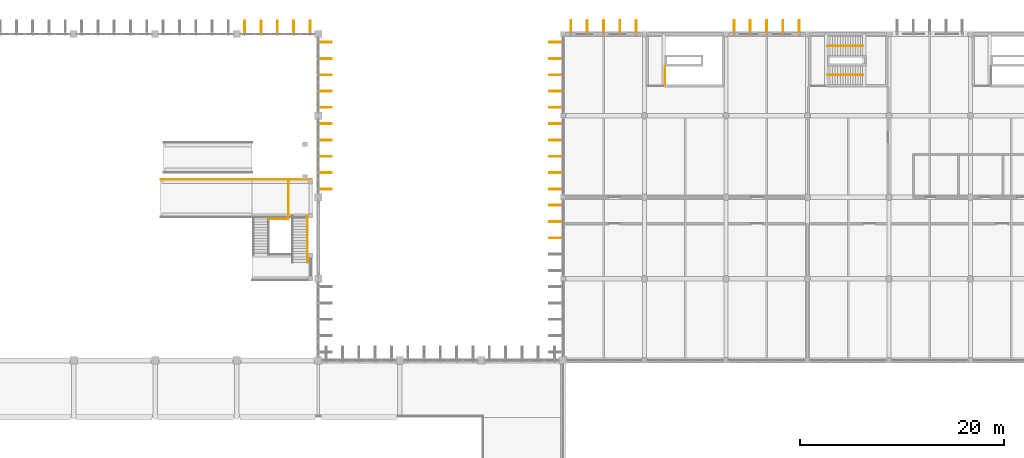
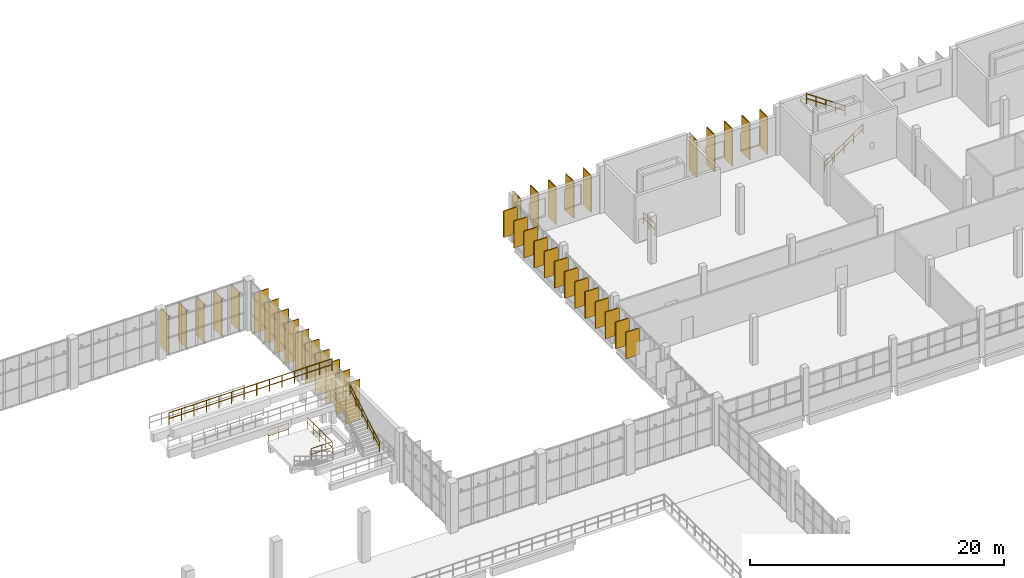
# One storey, part 91 of 93: 38 coverings, 38 shading devices, 8 railings.
"""IFC4 building model written with IfcOpenShell, lengths in metres."""

from ifc_helpers import new_model, si_unit, direction, frame, origin, origin_2d, place, context, subcontext, project, spatial, rectangle, circle, extrude, material, type_object, element, save


model = new_model("IFC4")

# Units and contexts
model_context = context("Model", 3, precision=1e-05, world=origin(), true_north=direction((0.0, 1.0)))
body_context = subcontext(model_context, "Body", "Model", "MODEL_VIEW")
ifc_project = project(units=[si_unit("LENGTHUNIT", "METRE"), si_unit("AREAUNIT", "SQUARE_METRE"), si_unit("VOLUMEUNIT", "CUBIC_METRE"), si_unit("PLANEANGLEUNIT", "RADIAN"), si_unit("MASSUNIT", "GRAM", prefix="KILO")], contexts=[model_context])

# Site, building, storey
site_placement = place(None, origin())
site = spatial("IfcSite", under=ifc_project, at=site_placement, CompositionType="ELEMENT")
building_placement = place(site_placement, origin())
building = spatial("IfcBuilding", under=site, at=building_placement, Name="Drelvana Railside Aquatics Centre", CompositionType="ELEMENT")
storey_placement = place(building_placement, frame((0.0, 0.0, 5.39990234375)))
storey = spatial("IfcBuildingStorey", under=building, at=storey_placement, Name="L01", CompositionType="ELEMENT", Elevation=5.39990234375)

# Coverings
ifc_material_1 = material(Name="Bronze-anodised extruded aluminium 6063-T6", Category="aluminium")
covering_type = type_object("IfcCoveringType", Name="COV-FIN-ALU", PredefinedType="CLADDING", material=ifc_material_1)
for number, where, z_axis, x_axis, name in (
    (1, (64.800048828125, 116.669921875, 0.0), (0.0, 0.0, 1.0), (1.0, 0.0, 0.0), "Vertical aluminium fin cladding CF-0195"),
    (2, (66.39990234375, 116.669921875, 0.0), (0.0, 0.0, 1.0), (1.0, 0.0, 0.0), "Vertical aluminium fin cladding CF-0196"),
    (3, (68.0, 116.669921875, 0.0), (0.0, 0.0, 1.0), (1.0, 0.0, 0.0), "Vertical aluminium fin cladding CF-0197"),
    (4, (69.60009765625, 116.669921875, 0.0), (0.0, 0.0, 1.0), (1.0, 0.0, 0.0), "Vertical aluminium fin cladding CF-0198"),
    (5, (71.199951171875, 116.669921875, 0.0), (0.0, 0.0, 1.0), (1.0, 0.0, 0.0), "Vertical aluminium fin cladding CF-0199"),
):
    element("IfcCovering", number, at=place(storey_placement, frame(where, z_axis=z_axis, x_axis=x_axis)), inside=storey, type_object=covering_type, Name=name, PredefinedType="CLADDING", context=body_context, shape_type="SweptSolid", body=[
        extrude(rectangle(XDim=0.0849609375, YDim=1.25, at=origin_2d()), origin(), (0.0, 0.0, 1.0), 3.699951171875),
    ])
for number, where, z_axis, x_axis, name in (
    (6, (72.68505859375, 100.800048828125, 0.0), (0.0, 0.0, 1.0), (0.0, -1.0, 0.0), "Vertical aluminium fin cladding CF-0451"),
    (7, (72.68505859375, 102.39990234375, 0.0), (0.0, 0.0, 1.0), (0.0, -1.0, 0.0), "Vertical aluminium fin cladding CF-0452"),
    (8, (72.68505859375, 104.0, 0.0), (0.0, 0.0, 1.0), (0.0, -1.0, 0.0), "Vertical aluminium fin cladding CF-0453"),
    (9, (72.68505859375, 105.60009765625, 0.0), (0.0, 0.0, 1.0), (0.0, -1.0, 0.0), "Vertical aluminium fin cladding CF-0454"),
    (10, (72.68505859375, 107.199951171875, 0.0), (0.0, 0.0, 1.0), (0.0, -1.0, 0.0), "Vertical aluminium fin cladding CF-0455"),
    (11, (72.68505859375, 108.800048828125, 0.0), (0.0, 0.0, 1.0), (0.0, -1.0, 0.0), "Vertical aluminium fin cladding CF-0456"),
    (12, (72.68505859375, 110.39990234375, 0.0), (0.0, 0.0, 1.0), (0.0, -1.0, 0.0), "Vertical aluminium fin cladding CF-0457"),
    (13, (72.68505859375, 112.0, 0.0), (0.0, 0.0, 1.0), (0.0, -1.0, 0.0), "Vertical aluminium fin cladding CF-0458"),
    (14, (72.68505859375, 113.60009765625, 0.0), (0.0, 0.0, 1.0), (0.0, -1.0, 0.0), "Vertical aluminium fin cladding CF-0459"),
    (15, (72.68505859375, 115.199951171875, 0.0), (0.0, 0.0, 1.0), (0.0, -1.0, 0.0), "Vertical aluminium fin cladding CF-0460"),
):
    element("IfcCovering", number, at=place(storey_placement, frame(where, z_axis=z_axis, x_axis=x_axis)), inside=storey, type_object=covering_type, Name=name, PredefinedType="CLADDING", context=body_context, shape_type="SweptSolid", body=[
        extrude(rectangle(XDim=0.0849609375, YDim=1.25, at=origin_2d()), origin(), (0.0, 0.0, 1.0), 3.85009765625),
    ])
for number, where, z_axis, x_axis, name in (
    (16, (96.800048828125, 116.7451171875, 0.10009765625), (0.0, 0.0, 1.0), (1.0, 0.0, 0.0), "Vertical aluminium fin cladding CF-0471"),
    (17, (98.39990234375, 116.7451171875, 0.10009765625), (0.0, 0.0, 1.0), (1.0, 0.0, 0.0), "Vertical aluminium fin cladding CF-0472"),
    (18, (100.0, 116.7451171875, 0.10009765625), (0.0, 0.0, 1.0), (1.0, 0.0, 0.0), "Vertical aluminium fin cladding CF-0473"),
    (19, (101.60009765625, 116.7451171875, 0.10009765625), (0.0, 0.0, 1.0), (1.0, 0.0, 0.0), "Vertical aluminium fin cladding CF-0474"),
    (20, (103.199951171875, 116.7451171875, 0.10009765625), (0.0, 0.0, 1.0), (1.0, 0.0, 0.0), "Vertical aluminium fin cladding CF-0475"),
    (21, (112.800048828125, 116.7451171875, 0.10009765625), (0.0, 0.0, 1.0), (1.0, 0.0, 0.0), "Vertical aluminium fin cladding CF-0481"),
    (22, (114.39990234375, 116.7451171875, 0.10009765625), (0.0, 0.0, 1.0), (1.0, 0.0, 0.0), "Vertical aluminium fin cladding CF-0482"),
    (23, (116.0, 116.7451171875, 0.10009765625), (0.0, 0.0, 1.0), (1.0, 0.0, 0.0), "Vertical aluminium fin cladding CF-0483"),
    (24, (117.60009765625, 116.7451171875, 0.10009765625), (0.0, 0.0, 1.0), (1.0, 0.0, 0.0), "Vertical aluminium fin cladding CF-0484"),
    (25, (119.199951171875, 116.7451171875, 0.10009765625), (0.0, 0.0, 1.0), (1.0, 0.0, 0.0), "Vertical aluminium fin cladding CF-0485"),
):
    element("IfcCovering", number, at=place(storey_placement, frame(where, z_axis=z_axis, x_axis=x_axis)), inside=storey, type_object=covering_type, Name=name, PredefinedType="CLADDING", context=body_context, shape_type="SweptSolid", body=[
        extrude(rectangle(XDim=0.0849609375, YDim=1.25, at=origin_2d()), origin(), (0.0, 0.0, 1.0), 3.550048828125),
    ])
for number, where, z_axis, x_axis, name in (
    (26, (95.31494140625, 96.0, 1.25), (0.0, 0.0, 1.0), (0.0, 1.0, 0.0), "Vertical aluminium fin cladding CF-0513"),
    (27, (95.31494140625, 97.60009765625, 1.25), (0.0, 0.0, 1.0), (0.0, 1.0, 0.0), "Vertical aluminium fin cladding CF-0514"),
    (28, (95.31494140625, 99.199951171875, 1.25), (0.0, 0.0, 1.0), (0.0, 1.0, 0.0), "Vertical aluminium fin cladding CF-0515"),
    (29, (95.31494140625, 100.800048828125, 1.25), (0.0, 0.0, 1.0), (0.0, 1.0, 0.0), "Vertical aluminium fin cladding CF-0521"),
    (30, (95.31494140625, 102.39990234375, 1.25), (0.0, 0.0, 1.0), (0.0, 1.0, 0.0), "Vertical aluminium fin cladding CF-0522"),
    (31, (95.31494140625, 104.0, 1.25), (0.0, 0.0, 1.0), (0.0, 1.0, 0.0), "Vertical aluminium fin cladding CF-0523"),
    (32, (95.31494140625, 105.60009765625, 1.25), (0.0, 0.0, 1.0), (0.0, 1.0, 0.0), "Vertical aluminium fin cladding CF-0524"),
    (33, (95.31494140625, 107.199951171875, 1.25), (0.0, 0.0, 1.0), (0.0, 1.0, 0.0), "Vertical aluminium fin cladding CF-0525"),
    (34, (95.31494140625, 108.800048828125, 1.25), (0.0, 0.0, 1.0), (0.0, 1.0, 0.0), "Vertical aluminium fin cladding CF-0531"),
    (35, (95.31494140625, 110.39990234375, 1.25), (0.0, 0.0, 1.0), (0.0, 1.0, 0.0), "Vertical aluminium fin cladding CF-0532"),
    (36, (95.31494140625, 112.0, 1.25), (0.0, 0.0, 1.0), (0.0, 1.0, 0.0), "Vertical aluminium fin cladding CF-0533"),
    (37, (95.31494140625, 113.60009765625, 1.25), (0.0, 0.0, 1.0), (0.0, 1.0, 0.0), "Vertical aluminium fin cladding CF-0534"),
    (38, (95.31494140625, 115.199951171875, 1.25), (0.0, 0.0, 1.0), (0.0, 1.0, 0.0), "Vertical aluminium fin cladding CF-0535"),
):
    element("IfcCovering", number, at=place(storey_placement, frame(where, z_axis=z_axis, x_axis=x_axis)), inside=storey, type_object=covering_type, Name=name, PredefinedType="CLADDING", context=body_context, shape_type="SweptSolid", body=[
        extrude(rectangle(XDim=0.0849609375, YDim=1.25, at=origin_2d()), origin(), (0.0, 0.0, 1.0), 2.550048828125),
    ])

# Railings
ifc_material_2 = material(Name="Brushed stainless steel stair pitch handrail", Category="steel")
railing_type_1 = type_object("IfcRailingType", Name="RAL-HANDRAIL-950", PredefinedType="HANDRAIL", material=ifc_material_2)
railing_1_placement = place(storey_placement, frame((121.969970703125, 111.97509765625, 0.0)))
element("IfcRailing", 39, at=railing_1_placement, inside=storey, type_object=railing_type_1, Name="Stair ST-05 flight 1 handrail (L01)", PredefinedType="HANDRAIL", context=body_context, shape_type="SweptSolid", body=[
    extrude(circle(Radius=0.02392578125, at=origin_2d()), frame((0.0, 0.0, 0.92578125), z_axis=(0.824712752785, 0.0, 0.565551832633), x_axis=(0.0, 1.0, 0.0)), (0.0, 0.0, 1.0), 4.243896484375),
    extrude(circle(Radius=0.02392578125, at=origin_2d()), frame((0.0, 0.0, 0.47509765625), z_axis=(0.824712752785, 0.0, 0.565551832633), x_axis=(0.0, 1.0, 0.0)), (0.0, 0.0, 1.0), 4.243896484375),
    extrude(circle(Radius=0.02099609375, at=origin_2d()), origin(), (0.0, 0.0, 1.0), 0.90185546875),
    extrude(circle(Radius=0.02099609375, at=origin_2d()), frame((0.875, 0.0, 0.60009765625)), (0.0, 0.0, 1.0), 0.90185546875),
    extrude(circle(Radius=0.02099609375, at=origin_2d()), frame((1.75, 0.0, 1.2001953125)), (0.0, 0.0, 1.0), 0.90185546875),
    extrude(circle(Radius=0.02099609375, at=origin_2d()), frame((2.625, 0.0, 1.800048828125)), (0.0, 0.0, 1.0), 0.90185546875),
    extrude(circle(Radius=0.02099609375, at=origin_2d()), frame((3.5, 0.0, 2.400146484375)), (0.0, 0.0, 1.0), 0.90185546875),
])
railing_2_placement = place(storey_placement, frame((125.469970703125, 114.824951171875, 2.400146484375)))
element("IfcRailing", 40, at=railing_2_placement, inside=storey, type_object=railing_type_1, Name="Stair ST-05 flight 2 handrail (L01)", PredefinedType="HANDRAIL", context=body_context, shape_type="SweptSolid", body=[
    extrude(circle(Radius=0.02392578125, at=origin_2d()), frame((0.0, 0.0, 0.92578125), z_axis=(-0.824739584531, 0.0, 0.5655127034), x_axis=(0.0, -1.0, 0.0)), (0.0, 0.0, 1.0), 4.24365234375),
    extrude(circle(Radius=0.02392578125, at=origin_2d()), frame((0.0, 0.0, 0.47509765625), z_axis=(-0.824739584531, 0.0, 0.5655127034), x_axis=(0.0, -1.0, 0.0)), (0.0, 0.0, 1.0), 4.24365234375),
    extrude(circle(Radius=0.02099609375, at=origin_2d()), origin(), (0.0, 0.0, 1.0), 0.90185546875),
    extrude(circle(Radius=0.02099609375, at=origin_2d()), frame((-0.875, 0.0, 0.60009765625)), (0.0, 0.0, 1.0), 0.90185546875),
    extrude(circle(Radius=0.02099609375, at=origin_2d()), frame((-1.75, 0.0, 1.199951171875)), (0.0, 0.0, 1.0), 0.90185546875),
    extrude(circle(Radius=0.02099609375, at=origin_2d()), frame((-2.625, 0.0, 1.7998046875)), (0.0, 0.0, 1.0), 0.90185546875),
    extrude(circle(Radius=0.02099609375, at=origin_2d()), frame((-3.5, 0.0, 2.39990234375)), (0.0, 0.0, 1.0), 0.90185546875),
])
railing_3_placement = place(storey_placement, frame((70.93994140625, 93.610107421875, 2.10009765625)))
element("IfcRailing", 41, at=railing_3_placement, inside=storey, type_object=railing_type_1, Name="Diving stair ST-DV2 flight 2 E handrail", PredefinedType="HANDRAIL", context=body_context, shape_type="SweptSolid", body=[
    extrude(circle(Radius=0.02392578125, at=origin_2d()), frame((0.0, 0.0, 0.92578125), z_axis=(0.0, 0.861930679349, 0.50702613739), x_axis=(-1.0, 0.0, 0.0)), (0.0, 0.0, 1.0), 5.324951171875),
    extrude(circle(Radius=0.02392578125, at=origin_2d()), frame((0.0, 0.0, 0.47509765625), z_axis=(0.0, 0.861930679349, 0.50702613739), x_axis=(-1.0, 0.0, 0.0)), (0.0, 0.0, 1.0), 5.324951171875),
    extrude(circle(Radius=0.02099609375, at=origin_2d()), origin(), (0.0, 0.0, 1.0), 0.90185546875),
    extrude(circle(Radius=0.02099609375, at=origin_2d()), frame((0.0, 0.91796875, 0.5400390625)), (0.0, 0.0, 1.0), 0.90185546875),
    extrude(circle(Radius=0.02099609375, at=origin_2d()), frame((0.0, 1.8359375, 1.080078125)), (0.0, 0.0, 1.0), 0.90185546875),
    extrude(circle(Radius=0.02099609375, at=origin_2d()), frame((0.0, 2.75390625, 1.619873046875)), (0.0, 0.0, 1.0), 0.90185546875),
    extrude(circle(Radius=0.02099609375, at=origin_2d()), frame((0.0, 3.671875, 2.159912109375)), (0.0, 0.0, 1.0), 0.90185546875),
    extrude(circle(Radius=0.02099609375, at=origin_2d()), frame((0.0, 4.58984375, 2.699951171875)), (0.0, 0.0, 1.0), 0.90185546875),
])
ifc_material_3 = material(Name="Brushed stainless steel stairwell guard", Category="steel")
railing_type_2 = type_object("IfcRailingType", Name="RAL-STAIR-1150", PredefinedType="GUARDRAIL", material=ifc_material_3)
railing_4_placement = place(storey_placement, frame((106.02001953125, 111.050048828125, 0.0)))
element("IfcRailing", 42, at=railing_4_placement, inside=storey, type_object=railing_type_2, Name="Stair ST-11 top landing guard", PredefinedType="GUARDRAIL", context=body_context, shape_type="SweptSolid", body=[
    extrude(circle(Radius=0.02392578125, at=origin_2d()), frame((0.0, 0.0, 1.1259765625), z_axis=(0.0, 1.0, 0.0), x_axis=(-1.0, 0.0, 0.0)), (0.0, 0.0, 1.0), 1.800048828125),
    extrude(circle(Radius=0.02392578125, at=origin_2d()), frame((0.0, 0.0, 0.574951171875), z_axis=(0.0, 1.0, 0.0), x_axis=(-1.0, 0.0, 0.0)), (0.0, 0.0, 1.0), 1.800048828125),
    extrude(circle(Radius=0.02099609375, at=origin_2d()), origin(), (0.0, 0.0, 1.0), 1.101806640625),
    extrude(circle(Radius=0.02099609375, at=origin_2d()), frame((0.0, 0.89990234375, 0.0)), (0.0, 0.0, 1.0), 1.101806640625),
    extrude(circle(Radius=0.02099609375, at=origin_2d()), frame((0.0, 1.800048828125, 0.0)), (0.0, 0.0, 1.0), 1.101806640625),
])
railing_5_placement = place(storey_placement, frame((67.199951171875, 97.85009765625, 0.0)))
element("IfcRailing", 43, at=railing_5_placement, inside=storey, type_object=railing_type_2, Name="Diving stair landing guard 4", PredefinedType="GUARDRAIL", context=body_context, shape_type="SweptSolid", body=[
    extrude(circle(Radius=0.02392578125, at=origin_2d()), frame((0.0, 0.0, 1.1259765625), z_axis=(1.0, 0.0, 0.0), x_axis=(0.0, 1.0, 0.0)), (0.0, 0.0, 1.0), 1.900146484375),
    extrude(circle(Radius=0.02392578125, at=origin_2d()), frame((0.0, 0.0, 0.574951171875), z_axis=(1.0, 0.0, 0.0), x_axis=(0.0, 1.0, 0.0)), (0.0, 0.0, 1.0), 1.900146484375),
    extrude(circle(Radius=0.02099609375, at=origin_2d()), origin(), (0.0, 0.0, 1.0), 1.101806640625),
    extrude(circle(Radius=0.02099609375, at=origin_2d()), frame((0.9501953125, 0.0, 0.0)), (0.0, 0.0, 1.0), 1.101806640625),
    extrude(circle(Radius=0.02099609375, at=origin_2d()), frame((1.900146484375, 0.0, 0.0)), (0.0, 0.0, 1.0), 1.101806640625),
])
railing_6_placement = place(storey_placement, frame((69.10009765625, 97.85009765625, 0.0)))
element("IfcRailing", 44, at=railing_6_placement, inside=storey, type_object=railing_type_2, Name="Diving stair landing guard 5", PredefinedType="GUARDRAIL", context=body_context, shape_type="SweptSolid", body=[
    extrude(circle(Radius=0.02392578125, at=origin_2d()), frame((0.0, 0.0, 1.1259765625), z_axis=(0.0, 1.0, 0.0), x_axis=(-1.0, 0.0, 0.0)), (0.0, 0.0, 1.0), 3.89990234375),
    extrude(circle(Radius=0.02392578125, at=origin_2d()), frame((0.0, 0.0, 0.574951171875), z_axis=(0.0, 1.0, 0.0), x_axis=(-1.0, 0.0, 0.0)), (0.0, 0.0, 1.0), 3.89990234375),
    extrude(circle(Radius=0.02099609375, at=origin_2d()), origin(), (0.0, 0.0, 1.0), 1.101806640625),
    extrude(circle(Radius=0.02099609375, at=origin_2d()), frame((0.0, 0.97509765625, 0.0)), (0.0, 0.0, 1.0), 1.101806640625),
    extrude(circle(Radius=0.02099609375, at=origin_2d()), frame((0.0, 1.949951171875, 0.0)), (0.0, 0.0, 1.0), 1.101806640625),
    extrude(circle(Radius=0.02099609375, at=origin_2d()), frame((0.0, 2.9248046875, 0.0)), (0.0, 0.0, 1.0), 1.101806640625),
    extrude(circle(Radius=0.02099609375, at=origin_2d()), frame((0.0, 3.89990234375, 0.0)), (0.0, 0.0, 1.0), 1.101806640625),
])
railing_7_placement = place(storey_placement, frame((65.550048828125, 101.75, 0.0)))
element("IfcRailing", 45, at=railing_7_placement, inside=storey, type_object=railing_type_2, Name="Diving stair landing guard 6", PredefinedType="GUARDRAIL", context=body_context, shape_type="SweptSolid", body=[
    extrude(circle(Radius=0.02392578125, at=origin_2d()), frame((0.0, 0.0, 1.1259765625), z_axis=(1.0, 0.0, 0.0), x_axis=(0.0, 1.0, 0.0)), (0.0, 0.0, 1.0), 1.869873046875),
    extrude(circle(Radius=0.02392578125, at=origin_2d()), frame((0.0, 0.0, 0.574951171875), z_axis=(1.0, 0.0, 0.0), x_axis=(0.0, 1.0, 0.0)), (0.0, 0.0, 1.0), 1.869873046875),
    extrude(circle(Radius=0.02099609375, at=origin_2d()), origin(), (0.0, 0.0, 1.0), 1.101806640625),
    extrude(circle(Radius=0.02099609375, at=origin_2d()), frame((0.93505859375, 0.0, 0.0)), (0.0, 0.0, 1.0), 1.101806640625),
    extrude(circle(Radius=0.02099609375, at=origin_2d()), frame((1.869873046875, 0.0, 0.0)), (0.0, 0.0, 1.0), 1.101806640625),
])
railing_8_placement = place(storey_placement, frame((56.550048828125, 101.760009765625, 4.800048828125)))
element("IfcRailing", 46, at=railing_8_placement, inside=storey, type_object=railing_type_2, Name="Diving platform 10M side guard 2", PredefinedType="GUARDRAIL", context=body_context, shape_type="SweptSolid", body=[
    extrude(circle(Radius=0.02392578125, at=origin_2d()), frame((0.0, 0.0, 1.1259765625), z_axis=(1.0, 0.0, 0.0), x_axis=(0.0, 1.0, 0.0)), (0.0, 0.0, 1.0), 14.800048828125),
    extrude(circle(Radius=0.02392578125, at=origin_2d()), frame((0.0, 0.0, 0.574951171875), z_axis=(1.0, 0.0, 0.0), x_axis=(0.0, 1.0, 0.0)), (0.0, 0.0, 1.0), 14.800048828125),
    extrude(circle(Radius=0.02099609375, at=origin_2d()), origin(), (0.0, 0.0, 1.0), 1.101806640625),
    extrude(circle(Radius=0.02099609375, at=origin_2d()), frame((1.138427734375, 0.0, 0.0)), (0.0, 0.0, 1.0), 1.101806640625),
    extrude(circle(Radius=0.02099609375, at=origin_2d()), frame((2.27685546875, 0.0, 0.0)), (0.0, 0.0, 1.0), 1.101806640625),
    extrude(circle(Radius=0.02099609375, at=origin_2d()), frame((3.415283203125, 0.0, 0.0)), (0.0, 0.0, 1.0), 1.101806640625),
    extrude(circle(Radius=0.02099609375, at=origin_2d()), frame((4.553955078125, 0.0, 0.0)), (0.0, 0.0, 1.0), 1.101806640625),
    extrude(circle(Radius=0.02099609375, at=origin_2d()), frame((5.6923828125, 0.0, 0.0)), (0.0, 0.0, 1.0), 1.101806640625),
    extrude(circle(Radius=0.02099609375, at=origin_2d()), frame((6.830810546875, 0.0, 0.0)), (0.0, 0.0, 1.0), 1.101806640625),
    extrude(circle(Radius=0.02099609375, at=origin_2d()), frame((7.96923828125, 0.0, 0.0)), (0.0, 0.0, 1.0), 1.101806640625),
    extrude(circle(Radius=0.02099609375, at=origin_2d()), frame((9.107666015625, 0.0, 0.0)), (0.0, 0.0, 1.0), 1.101806640625),
    extrude(circle(Radius=0.02099609375, at=origin_2d()), frame((10.24609375, 0.0, 0.0)), (0.0, 0.0, 1.0), 1.101806640625),
    extrude(circle(Radius=0.02099609375, at=origin_2d()), frame((11.384765625, 0.0, 0.0)), (0.0, 0.0, 1.0), 1.101806640625),
    extrude(circle(Radius=0.02099609375, at=origin_2d()), frame((12.523193359375, 0.0, 0.0)), (0.0, 0.0, 1.0), 1.101806640625),
    extrude(circle(Radius=0.02099609375, at=origin_2d()), frame((13.66162109375, 0.0, 0.0)), (0.0, 0.0, 1.0), 1.101806640625),
    extrude(circle(Radius=0.02099609375, at=origin_2d()), frame((14.800048828125, 0.0, 0.0)), (0.0, 0.0, 1.0), 1.101806640625),
])

# Shading devices
shading_device_type = type_object("IfcShadingDeviceType", Name="SHD-FIN-1250", PredefinedType="USERDEFINED", material=ifc_material_1)
for number, where, z_axis, x_axis, name in (
    (47, (64.800048828125, 116.68994140625, 0.0), (0.0, 0.0, 1.0), (0.0, 1.0, 0.0), "Vertical bronze shading fin FN-0202"),
    (48, (66.39990234375, 116.68994140625, 0.0), (0.0, 0.0, 1.0), (0.0, 1.0, 0.0), "Vertical bronze shading fin FN-0203"),
    (49, (68.0, 116.68994140625, 0.0), (0.0, 0.0, 1.0), (0.0, 1.0, 0.0), "Vertical bronze shading fin FN-0204"),
    (50, (69.60009765625, 116.68994140625, 0.0), (0.0, 0.0, 1.0), (0.0, 1.0, 0.0), "Vertical bronze shading fin FN-0205"),
    (51, (71.199951171875, 116.68994140625, 0.0), (0.0, 0.0, 1.0), (0.0, 1.0, 0.0), "Vertical bronze shading fin FN-0206"),
):
    element("IfcShadingDevice", number, at=place(storey_placement, frame(where, z_axis=z_axis, x_axis=x_axis)), inside=storey, type_object=shading_device_type, Name=name, ObjectType="FIN", PredefinedType="USERDEFINED", context=body_context, shape_type="SweptSolid", body=[
        extrude(rectangle(XDim=1.25, YDim=0.06494140625, at=origin_2d()), origin(), (0.0, 0.0, 1.0), 3.699951171875),
    ])
for number, where, z_axis, x_axis, name in (
    (52, (72.705078125, 100.800048828125, 0.0), (0.0, 0.0, 1.0), (1.0, 0.0, 0.0), "Vertical bronze shading fin FN-0458"),
    (53, (72.705078125, 102.39990234375, 0.0), (0.0, 0.0, 1.0), (1.0, 0.0, 0.0), "Vertical bronze shading fin FN-0459"),
    (54, (72.705078125, 104.0, 0.0), (0.0, 0.0, 1.0), (1.0, 0.0, 0.0), "Vertical bronze shading fin FN-0460"),
    (55, (72.705078125, 105.60009765625, 0.0), (0.0, 0.0, 1.0), (1.0, 0.0, 0.0), "Vertical bronze shading fin FN-0461"),
    (56, (72.705078125, 107.199951171875, 0.0), (0.0, 0.0, 1.0), (1.0, 0.0, 0.0), "Vertical bronze shading fin FN-0462"),
    (57, (72.705078125, 108.800048828125, 0.0), (0.0, 0.0, 1.0), (1.0, 0.0, 0.0), "Vertical bronze shading fin FN-0463"),
    (58, (72.705078125, 110.39990234375, 0.0), (0.0, 0.0, 1.0), (1.0, 0.0, 0.0), "Vertical bronze shading fin FN-0464"),
    (59, (72.705078125, 112.0, 0.0), (0.0, 0.0, 1.0), (1.0, 0.0, 0.0), "Vertical bronze shading fin FN-0465"),
    (60, (72.705078125, 113.60009765625, 0.0), (0.0, 0.0, 1.0), (1.0, 0.0, 0.0), "Vertical bronze shading fin FN-0466"),
    (61, (72.705078125, 115.199951171875, 0.0), (0.0, 0.0, 1.0), (1.0, 0.0, 0.0), "Vertical bronze shading fin FN-0467"),
):
    element("IfcShadingDevice", number, at=place(storey_placement, frame(where, z_axis=z_axis, x_axis=x_axis)), inside=storey, type_object=shading_device_type, Name=name, ObjectType="FIN", PredefinedType="USERDEFINED", context=body_context, shape_type="SweptSolid", body=[
        extrude(rectangle(XDim=1.25, YDim=0.06494140625, at=origin_2d()), origin(), (0.0, 0.0, 1.0), 3.85009765625),
    ])
for number, where, z_axis, x_axis, name in (
    (62, (96.800048828125, 116.764892578125, 0.10009765625), (0.0, 0.0, 1.0), (0.0, 1.0, 0.0), "Vertical bronze shading fin FN-0478"),
    (63, (98.39990234375, 116.764892578125, 0.10009765625), (0.0, 0.0, 1.0), (0.0, 1.0, 0.0), "Vertical bronze shading fin FN-0479"),
    (64, (100.0, 116.764892578125, 0.10009765625), (0.0, 0.0, 1.0), (0.0, 1.0, 0.0), "Vertical bronze shading fin FN-0480"),
    (65, (101.60009765625, 116.764892578125, 0.10009765625), (0.0, 0.0, 1.0), (0.0, 1.0, 0.0), "Vertical bronze shading fin FN-0481"),
    (66, (103.199951171875, 116.764892578125, 0.10009765625), (0.0, 0.0, 1.0), (0.0, 1.0, 0.0), "Vertical bronze shading fin FN-0482"),
    (67, (112.800048828125, 116.764892578125, 0.10009765625), (0.0, 0.0, 1.0), (0.0, 1.0, 0.0), "Vertical bronze shading fin FN-0488"),
    (68, (114.39990234375, 116.764892578125, 0.10009765625), (0.0, 0.0, 1.0), (0.0, 1.0, 0.0), "Vertical bronze shading fin FN-0489"),
    (69, (116.0, 116.764892578125, 0.10009765625), (0.0, 0.0, 1.0), (0.0, 1.0, 0.0), "Vertical bronze shading fin FN-0490"),
    (70, (117.60009765625, 116.764892578125, 0.10009765625), (0.0, 0.0, 1.0), (0.0, 1.0, 0.0), "Vertical bronze shading fin FN-0491"),
    (71, (119.199951171875, 116.764892578125, 0.10009765625), (0.0, 0.0, 1.0), (0.0, 1.0, 0.0), "Vertical bronze shading fin FN-0492"),
):
    element("IfcShadingDevice", number, at=place(storey_placement, frame(where, z_axis=z_axis, x_axis=x_axis)), inside=storey, type_object=shading_device_type, Name=name, ObjectType="FIN", PredefinedType="USERDEFINED", context=body_context, shape_type="SweptSolid", body=[
        extrude(rectangle(XDim=1.25, YDim=0.06494140625, at=origin_2d()), origin(), (0.0, 0.0, 1.0), 3.550048828125),
    ])
for number, where, z_axis, x_axis, name in (
    (72, (95.294921875, 96.0, 1.25), (0.0, 0.0, 1.0), (-1.0, 0.0, 0.0), "Vertical bronze shading fin FN-0520"),
    (73, (95.294921875, 97.60009765625, 1.25), (0.0, 0.0, 1.0), (-1.0, 0.0, 0.0), "Vertical bronze shading fin FN-0521"),
    (74, (95.294921875, 99.199951171875, 1.25), (0.0, 0.0, 1.0), (-1.0, 0.0, 0.0), "Vertical bronze shading fin FN-0522"),
    (75, (95.294921875, 100.800048828125, 1.25), (0.0, 0.0, 1.0), (-1.0, 0.0, 0.0), "Vertical bronze shading fin FN-0528"),
    (76, (95.294921875, 102.39990234375, 1.25), (0.0, 0.0, 1.0), (-1.0, 0.0, 0.0), "Vertical bronze shading fin FN-0529"),
    (77, (95.294921875, 104.0, 1.25), (0.0, 0.0, 1.0), (-1.0, 0.0, 0.0), "Vertical bronze shading fin FN-0530"),
    (78, (95.294921875, 105.60009765625, 1.25), (0.0, 0.0, 1.0), (-1.0, 0.0, 0.0), "Vertical bronze shading fin FN-0531"),
    (79, (95.294921875, 107.199951171875, 1.25), (0.0, 0.0, 1.0), (-1.0, 0.0, 0.0), "Vertical bronze shading fin FN-0532"),
    (80, (95.294921875, 108.800048828125, 1.25), (0.0, 0.0, 1.0), (-1.0, 0.0, 0.0), "Vertical bronze shading fin FN-0538"),
    (81, (95.294921875, 110.39990234375, 1.25), (0.0, 0.0, 1.0), (-1.0, 0.0, 0.0), "Vertical bronze shading fin FN-0539"),
    (82, (95.294921875, 112.0, 1.25), (0.0, 0.0, 1.0), (-1.0, 0.0, 0.0), "Vertical bronze shading fin FN-0540"),
    (83, (95.294921875, 113.60009765625, 1.25), (0.0, 0.0, 1.0), (-1.0, 0.0, 0.0), "Vertical bronze shading fin FN-0541"),
    (84, (95.294921875, 115.199951171875, 1.25), (0.0, 0.0, 1.0), (-1.0, 0.0, 0.0), "Vertical bronze shading fin FN-0542"),
):
    element("IfcShadingDevice", number, at=place(storey_placement, frame(where, z_axis=z_axis, x_axis=x_axis)), inside=storey, type_object=shading_device_type, Name=name, ObjectType="FIN", PredefinedType="USERDEFINED", context=body_context, shape_type="SweptSolid", body=[
        extrude(rectangle(XDim=1.25, YDim=0.06494140625, at=origin_2d()), origin(), (0.0, 0.0, 1.0), 2.550048828125),
    ])

save(model, "model.ifc")
